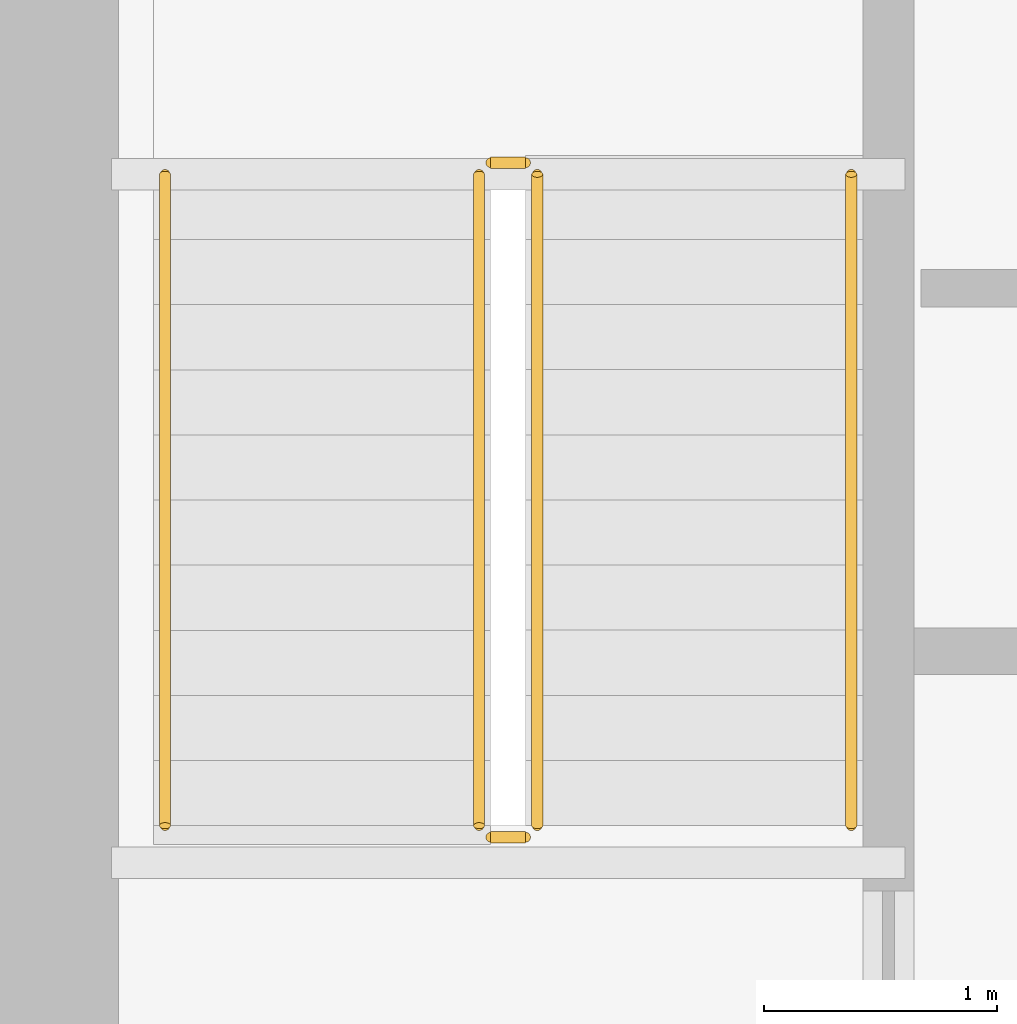
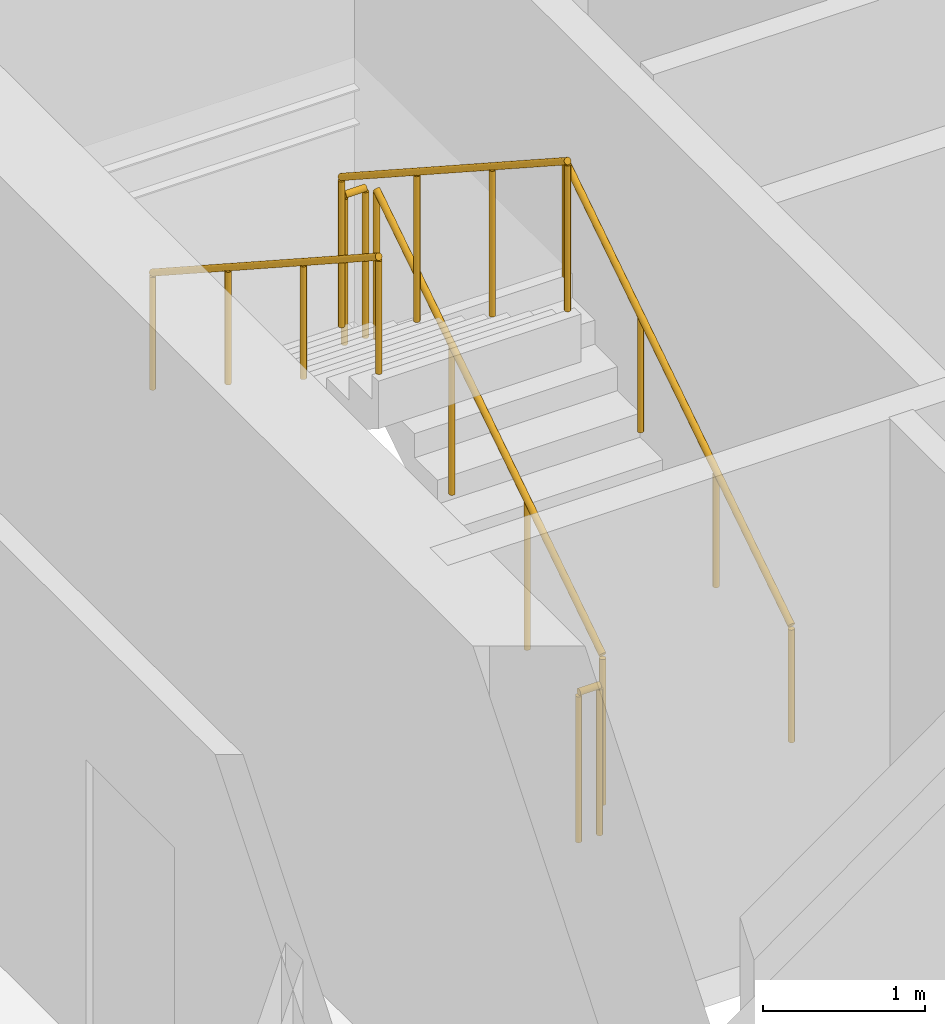
# One storey, part 10 of 13: 6 railings.
"""IFC4 building model written with IfcOpenShell, lengths in metres."""

from ifc_helpers import new_model, si_unit, direction, frame, origin, origin_2d, place, context, subcontext, project, spatial, circle, extrude, material, type_object, element, save


model = new_model("IFC4")

# Units and contexts
model_context = context("Model", 3, precision=1e-05, world=origin(), true_north=direction((0.0, 1.0)))
body_context = subcontext(model_context, "Body", "Model", "MODEL_VIEW")
ifc_project = project(units=[si_unit("LENGTHUNIT", "METRE"), si_unit("AREAUNIT", "SQUARE_METRE"), si_unit("VOLUMEUNIT", "CUBIC_METRE"), si_unit("PLANEANGLEUNIT", "RADIAN"), si_unit("MASSUNIT", "GRAM", prefix="KILO")], contexts=[model_context])

# Site, building, storey
site_placement = place(None, origin())
site = spatial("IfcSite", under=ifc_project, at=site_placement, CompositionType="ELEMENT")
building_placement = place(site_placement, origin())
building = spatial("IfcBuilding", under=site, at=building_placement, Name="Kranzbogen Civic Tower", CompositionType="ELEMENT")
storey_placement = place(building_placement, frame((0.0, 0.0, 162.39990234375)))
storey = spatial("IfcBuildingStorey", under=building, at=storey_placement, Name="L39", CompositionType="ELEMENT", Elevation=162.39990234375)

# Railings
ifc_material_1 = material(Name="Steel S355", Category="steel")
railing_type_1 = type_object("IfcRailingType", Name="Internal Stair and Void Steel Guardrail 1150", PredefinedType="GUARDRAIL", material=ifc_material_1)
railing_1_placement = place(storey_placement, frame((19.300048828125, 22.60009765625, 0.181884765625)))
element("IfcRailing", 1, at=railing_1_placement, inside=storey, type_object=railing_type_1, Name="L39 ST-T1 stair guard 1", PredefinedType="GUARDRAIL", context=body_context, shape_type="SweptSolid", body=[
    extrude(circle(Radius=0.02392578125, at=origin_2d()), frame((0.0, 0.0, 1.1259765625), z_axis=(0.0, 0.83868413941, 0.544618136222), x_axis=(-1.0, 0.0, 0.0)), (0.0, 0.0, 1.0), 3.33837890625),
    extrude(circle(Radius=0.02099609375, at=origin_2d()), origin(), (0.0, 0.0, 1.0), 1.101806640625),
    extrude(circle(Radius=0.02099609375, at=origin_2d()), frame((0.0, 0.933349609375, 0.60595703125)), (0.0, 0.0, 1.0), 1.101806640625),
    extrude(circle(Radius=0.02099609375, at=origin_2d()), frame((0.0, 1.866455078125, 1.212158203125)), (0.0, 0.0, 1.0), 1.101806640625),
    extrude(circle(Radius=0.02099609375, at=origin_2d()), frame((0.0, 2.7998046875, 1.818115234375)), (0.0, 0.0, 1.0), 1.101806640625),
])
railing_2_placement = place(storey_placement, frame((19.25, 25.449951171875, 2.0)))
element("IfcRailing", 2, at=railing_2_placement, inside=storey, type_object=railing_type_1, Name="L39 ST-T1 stair guard 2", PredefinedType="GUARDRAIL", context=body_context, shape_type="SweptSolid", body=[
    extrude(circle(Radius=0.02392578125, at=origin_2d()), frame((0.0, 0.0, 1.1259765625), z_axis=(-1.0, 0.0, 0.0), x_axis=(0.0, -1.0, 0.0)), (0.0, 0.0, 1.0), 0.14990234375),
    extrude(circle(Radius=0.02099609375, at=origin_2d()), origin(), (0.0, 0.0, 1.0), 1.101806640625),
    extrude(circle(Radius=0.02099609375, at=origin_2d()), frame((-0.14990234375, 0.0, 0.0)), (0.0, 0.0, 1.0), 1.101806640625),
])
railing_3_placement = place(storey_placement, frame((19.050048828125, 25.39990234375, 2.181884765625)))
element("IfcRailing", 3, at=railing_3_placement, inside=storey, type_object=railing_type_1, Name="L39 ST-T1 stair guard 3", PredefinedType="GUARDRAIL", context=body_context, shape_type="SweptSolid", body=[
    extrude(circle(Radius=0.02392578125, at=origin_2d()), frame((0.0, 0.0, 1.1259765625), z_axis=(0.0, -0.83868413941, 0.544618136222), x_axis=(1.0, 0.0, 0.0)), (0.0, 0.0, 1.0), 3.33837890625),
    extrude(circle(Radius=0.02099609375, at=origin_2d()), origin(), (0.0, 0.0, 1.0), 1.101806640625),
    extrude(circle(Radius=0.02099609375, at=origin_2d()), frame((0.0, -0.933349609375, 0.60595703125)), (0.0, 0.0, 1.0), 1.101806640625),
    extrude(circle(Radius=0.02099609375, at=origin_2d()), frame((0.0, -1.866455078125, 1.212158203125)), (0.0, 0.0, 1.0), 1.101806640625),
    extrude(circle(Radius=0.02099609375, at=origin_2d()), frame((0.0, -2.7998046875, 1.818115234375)), (0.0, 0.0, 1.0), 1.101806640625),
])
railing_4_placement = place(storey_placement, frame((19.25, 22.550048828125, 0.0)))
element("IfcRailing", 4, at=railing_4_placement, inside=storey, type_object=railing_type_1, Name="L39 ST-T1 stair guard 4", PredefinedType="GUARDRAIL", context=body_context, shape_type="SweptSolid", body=[
    extrude(circle(Radius=0.02392578125, at=origin_2d()), frame((0.0, 0.0, 1.1259765625), z_axis=(-1.0, 0.0, 0.0), x_axis=(0.0, -1.0, 0.0)), (0.0, 0.0, 1.0), 0.14990234375),
    extrude(circle(Radius=0.02099609375, at=origin_2d()), origin(), (0.0, 0.0, 1.0), 1.101806640625),
    extrude(circle(Radius=0.02099609375, at=origin_2d()), frame((-0.14990234375, 0.0, 0.0)), (0.0, 0.0, 1.0), 1.101806640625),
])
ifc_material_2 = material(Name="Pale Anodised Aluminium", Category="aluminium")
railing_type_2 = type_object("IfcRailingType", Name="Tubular Stainless Stair Wall Handrail 900", PredefinedType="HANDRAIL", material=ifc_material_2)
railing_5_placement = place(storey_placement, frame((20.64990234375, 22.60009765625, 0.181884765625)))
element("IfcRailing", 5, at=railing_5_placement, inside=storey, type_object=railing_type_2, Name="L39 ST-T1 stair handrail 1", PredefinedType="HANDRAIL", context=body_context, shape_type="SweptSolid", body=[
    extrude(circle(Radius=0.02392578125, at=origin_2d()), frame((0.0, 0.0, 0.8759765625), z_axis=(0.0, 0.83868413941, 0.544618136222), x_axis=(-1.0, 0.0, 0.0)), (0.0, 0.0, 1.0), 3.33837890625),
    extrude(circle(Radius=0.02099609375, at=origin_2d()), origin(), (0.0, 0.0, 1.0), 0.851806640625),
    extrude(circle(Radius=0.02099609375, at=origin_2d()), frame((0.0, 0.933349609375, 0.60595703125)), (0.0, 0.0, 1.0), 0.851806640625),
    extrude(circle(Radius=0.02099609375, at=origin_2d()), frame((0.0, 1.866455078125, 1.212158203125)), (0.0, 0.0, 1.0), 0.851806640625),
    extrude(circle(Radius=0.02099609375, at=origin_2d()), frame((0.0, 2.7998046875, 1.818115234375)), (0.0, 0.0, 1.0), 0.851806640625),
])
railing_6_placement = place(storey_placement, frame((17.699951171875, 25.39990234375, 2.181884765625)))
element("IfcRailing", 6, at=railing_6_placement, inside=storey, type_object=railing_type_2, Name="L39 ST-T1 stair handrail 2", PredefinedType="HANDRAIL", context=body_context, shape_type="SweptSolid", body=[
    extrude(circle(Radius=0.02392578125, at=origin_2d()), frame((0.0, 0.0, 0.8759765625), z_axis=(0.0, -0.83868413941, 0.544618136222), x_axis=(1.0, 0.0, 0.0)), (0.0, 0.0, 1.0), 3.33837890625),
    extrude(circle(Radius=0.02099609375, at=origin_2d()), origin(), (0.0, 0.0, 1.0), 0.851806640625),
    extrude(circle(Radius=0.02099609375, at=origin_2d()), frame((0.0, -0.933349609375, 0.60595703125)), (0.0, 0.0, 1.0), 0.851806640625),
    extrude(circle(Radius=0.02099609375, at=origin_2d()), frame((0.0, -1.866455078125, 1.212158203125)), (0.0, 0.0, 1.0), 0.851806640625),
    extrude(circle(Radius=0.02099609375, at=origin_2d()), frame((0.0, -2.7998046875, 1.818115234375)), (0.0, 0.0, 1.0), 0.851806640625),
])

save(model, "model.ifc")
